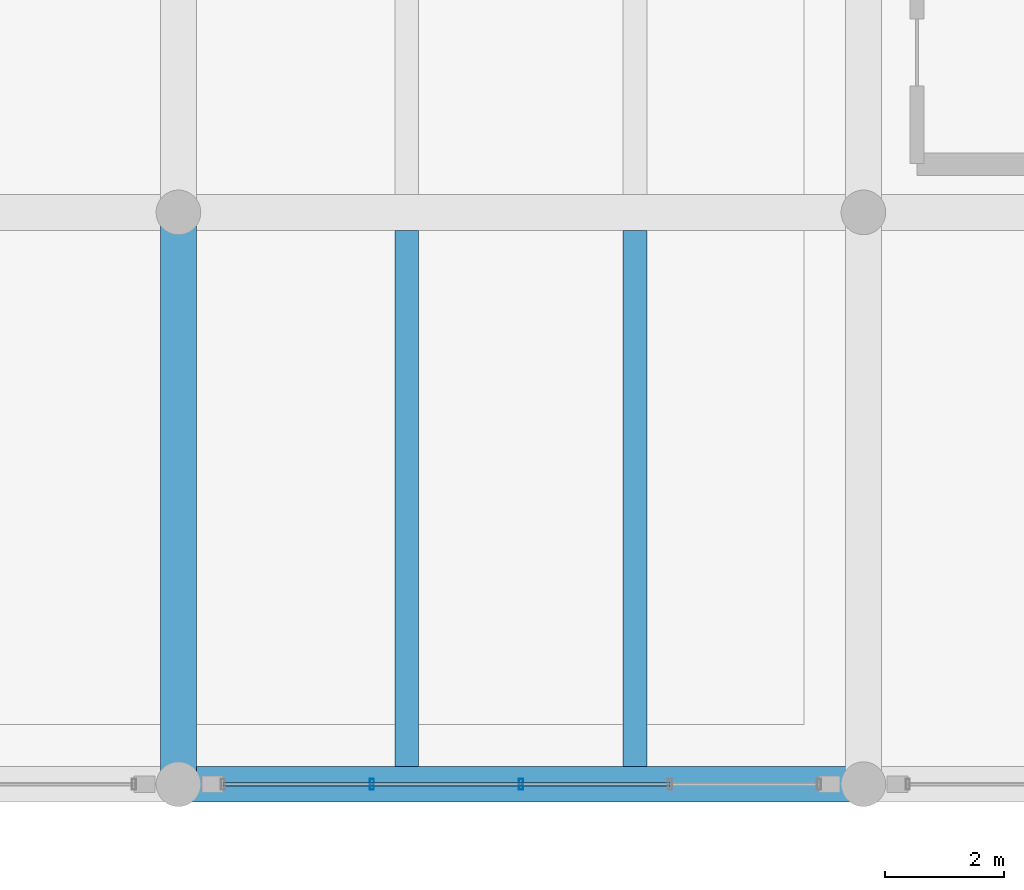
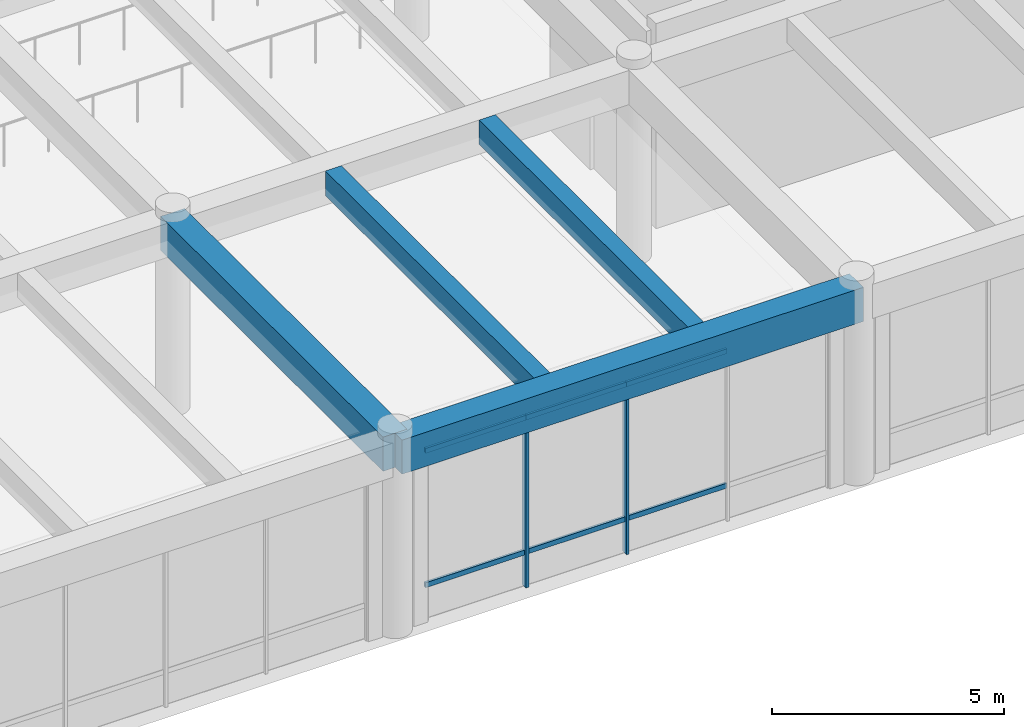
# One storey, part 37 of 148: 8 members, 4 beams, 1 element without a shape of its own.
"""IFC4 building model written with IfcOpenShell, lengths in metres."""

from ifc_helpers import new_model, si_unit, direction, frame, origin, origin_2d, place, context, subcontext, project, spatial, rectangle, hollow_rectangle, extrude, material, material_profile, profile_set, type_object, element, aggregate, save


model = new_model("IFC4")

# Units and contexts
model_context = context("Model", 3, precision=1e-05, world=origin(), true_north=direction((0.0, 1.0)))
body_context = subcontext(model_context, "Body", "Model", "MODEL_VIEW")
ifc_project = project(units=[si_unit("LENGTHUNIT", "METRE"), si_unit("AREAUNIT", "SQUARE_METRE"), si_unit("VOLUMEUNIT", "CUBIC_METRE"), si_unit("PLANEANGLEUNIT", "RADIAN"), si_unit("MASSUNIT", "GRAM", prefix="KILO")], contexts=[model_context])

# Site, building, storey
site_placement = place(None, origin())
site = spatial("IfcSite", under=ifc_project, at=site_placement, CompositionType="ELEMENT")
building_placement = place(site_placement, origin())
building = spatial("IfcBuilding", under=site, at=building_placement, Name="Ologun Quay Terminus", CompositionType="ELEMENT")
storey_placement = place(building_placement, frame((0.0, 0.0, 8.39990234375)))
storey = spatial("IfcBuildingStorey", under=building, at=storey_placement, Name="L02", CompositionType="ELEMENT", Elevation=8.39990234375)

# Curtain wall, members
ifc_material_1 = material(Name="Aluminium 6063-T6", Category="aluminium")
curtain_wall_type = type_object("IfcCurtainWallType", Name="Concourse Departure Curtain Wall 10700x4950", PredefinedType="USERDEFINED", material=ifc_material_1)
curtain_wall_placement = place(storey_placement, origin())
curtain_wall = element("IfcCurtainWall", 1, at=curtain_wall_placement, inside=storey, type_object=curtain_wall_type, Name="CW-05 Curtain Wall CW-L02-028", ObjectType="UNITISED CURTAIN WALL", PredefinedType="USERDEFINED")
ifc_material_2 = material(Name="Aluminium 6063-T6", Category="aluminium")
ifc_material_profile_1 = material_profile(ifc_material_2, hollow_rectangle(XDim=0.070068359375, YDim=0.179931640625, WallThickness=0.0048828125, at=origin_2d()), Name="ALU 180x70x5")
ifc_profile_set_1 = profile_set([ifc_material_profile_1], Name="Aluminium 6063-T6")
member_type_1 = type_object("IfcMemberType", Name="Curtain Wall Heavy Mullion 180x70", PredefinedType="MULLION", material=ifc_profile_set_1)
member_1_placement = place(storey_placement, frame((106.74755859375, 8.0, 0.0), z_axis=(0.0, 0.0, 1.0), x_axis=(1.0, 0.0, 0.0)))
member_1 = element("IfcMember", 2, at=member_1_placement, type_object=member_type_1, Name="CW-L02-028 Mullion 2", PredefinedType="MULLION", context=body_context, shape_type="SweptSolid", body=[
    extrude(hollow_rectangle(XDim=0.070068359375, YDim=0.179931640625, WallThickness=0.0048828125, at=origin_2d()), origin(), (0.0, 0.0, 1.0), 5.14013671875),
])
member_2_placement = place(storey_placement, frame((109.25, 8.0, 0.0), z_axis=(0.0, 0.0, 1.0), x_axis=(1.0, 0.0, 0.0)))
member_2 = element("IfcMember", 3, at=member_2_placement, type_object=member_type_1, Name="CW-L02-028 Mullion 3", PredefinedType="MULLION", context=body_context, shape_type="SweptSolid", body=[
    extrude(hollow_rectangle(XDim=0.070068359375, YDim=0.179931640625, WallThickness=0.0048828125, at=origin_2d()), origin(), (0.0, 0.0, 1.0), 5.14013671875),
])
ifc_material_3 = material(Name="Aluminium 6063-T6", Category="aluminium")
ifc_material_profile_2 = material_profile(ifc_material_3, hollow_rectangle(XDim=0.06005859375, YDim=0.1298828125, WallThickness=0.00390625, at=origin_2d()), Name="ALU 130x60x4")
ifc_profile_set_2 = profile_set([ifc_material_profile_2], Name="Aluminium 6063-T6")
member_type_2 = type_object("IfcMemberType", Name="Curtain Wall Heavy Transom 130x60", PredefinedType="USERDEFINED", material=ifc_profile_set_2)
member_3_placement = place(storey_placement, frame((104.2451171875, 8.0, 0.900146484375), z_axis=(1.0, 0.0, 0.0), x_axis=(0.0, 1.0, 0.0)))
member_3 = element("IfcMember", 4, at=member_3_placement, type_object=member_type_2, Name="CW-L02-028 Transom B1-1", ObjectType="TRANSOM", PredefinedType="USERDEFINED", context=body_context, shape_type="SweptSolid", body=[
    extrude(hollow_rectangle(XDim=0.06005859375, YDim=0.1298828125, WallThickness=0.00390625, at=origin_2d()), origin(), (0.0, 0.0, 1.0), 2.50244140625),
])
member_4_placement = place(storey_placement, frame((104.2451171875, 8.0, 4.440185546875), z_axis=(1.0, 0.0, 0.0), x_axis=(0.0, 1.0, 0.0)))
member_4 = element("IfcMember", 5, at=member_4_placement, type_object=member_type_2, Name="CW-L02-028 Transom B1-2", ObjectType="TRANSOM", PredefinedType="USERDEFINED", context=body_context, shape_type="SweptSolid", body=[
    extrude(hollow_rectangle(XDim=0.06005859375, YDim=0.1298828125, WallThickness=0.00390625, at=origin_2d()), origin(), (0.0, 0.0, 1.0), 2.50244140625),
])
member_5_placement = place(storey_placement, frame((106.74755859375, 8.0, 0.900146484375), z_axis=(1.0, 0.0, 0.0), x_axis=(0.0, 1.0, 0.0)))
member_5 = element("IfcMember", 6, at=member_5_placement, type_object=member_type_2, Name="CW-L02-028 Transom B2-1", ObjectType="TRANSOM", PredefinedType="USERDEFINED", context=body_context, shape_type="SweptSolid", body=[
    extrude(hollow_rectangle(XDim=0.06005859375, YDim=0.1298828125, WallThickness=0.00390625, at=origin_2d()), origin(), (0.0, 0.0, 1.0), 2.50244140625),
])
member_6_placement = place(storey_placement, frame((106.74755859375, 8.0, 4.440185546875), z_axis=(1.0, 0.0, 0.0), x_axis=(0.0, 1.0, 0.0)))
member_6 = element("IfcMember", 7, at=member_6_placement, type_object=member_type_2, Name="CW-L02-028 Transom B2-2", ObjectType="TRANSOM", PredefinedType="USERDEFINED", context=body_context, shape_type="SweptSolid", body=[
    extrude(hollow_rectangle(XDim=0.06005859375, YDim=0.1298828125, WallThickness=0.00390625, at=origin_2d()), origin(), (0.0, 0.0, 1.0), 2.50244140625),
])
member_7_placement = place(storey_placement, frame((109.25, 8.0, 0.900146484375), z_axis=(1.0, 0.0, 0.0), x_axis=(0.0, 1.0, 0.0)))
member_7 = element("IfcMember", 8, at=member_7_placement, type_object=member_type_2, Name="CW-L02-028 Transom B3-1", ObjectType="TRANSOM", PredefinedType="USERDEFINED", context=body_context, shape_type="SweptSolid", body=[
    extrude(hollow_rectangle(XDim=0.06005859375, YDim=0.1298828125, WallThickness=0.00390625, at=origin_2d()), origin(), (0.0, 0.0, 1.0), 2.50244140625),
])
member_8_placement = place(storey_placement, frame((109.25, 8.0, 4.440185546875), z_axis=(1.0, 0.0, 0.0), x_axis=(0.0, 1.0, 0.0)))
member_8 = element("IfcMember", 9, at=member_8_placement, type_object=member_type_2, Name="CW-L02-028 Transom B3-2", ObjectType="TRANSOM", PredefinedType="USERDEFINED", context=body_context, shape_type="SweptSolid", body=[
    extrude(hollow_rectangle(XDim=0.06005859375, YDim=0.1298828125, WallThickness=0.00390625, at=origin_2d()), origin(), (0.0, 0.0, 1.0), 2.50244140625),
])
aggregate(curtain_wall, [member_1, member_2, member_3, member_4, member_5, member_6, member_7, member_8])

# Beams
ifc_material_4 = material(Name="Concrete C40/50", Category="concrete")
ifc_material_profile_3 = material_profile(ifc_material_4, rectangle(XDim=0.60009765625, YDim=0.89990234375, at=origin_2d()), Name="RC 600x900")
ifc_profile_set_3 = profile_set([ifc_material_profile_3], Name="Concrete C40/50")
beam_type_1 = type_object("IfcBeamType", Name="Station Frame Girder 600x900", PredefinedType="BEAM", material=ifc_profile_set_3)
beam_1_placement = place(storey_placement, frame((103.5, 8.0, 4.7001953125), z_axis=(1.0, 0.0, 0.0), x_axis=(0.0, 1.0, 0.0)))
element("IfcBeam", 10, at=beam_1_placement, inside=storey, type_object=beam_type_1, Name="B3 Beam 10/B L02", PredefinedType="BEAM", context=body_context, shape_type="SweptSolid", body=[
    extrude(rectangle(XDim=0.60009765625, YDim=0.89990234375, at=origin_2d()), origin(), (0.0, 0.0, 1.0), 11.5),
])
beam_2_placement = place(storey_placement, frame((103.5, 8.0, 4.7001953125), z_axis=(0.0, 1.0, 0.0), x_axis=(-1.0, 0.0, 0.0)))
element("IfcBeam", 11, at=beam_2_placement, inside=storey, type_object=beam_type_1, Name="B3 Beam 10/B L02", PredefinedType="BEAM", context=body_context, shape_type="SweptSolid", body=[
    extrude(rectangle(XDim=0.60009765625, YDim=0.89990234375, at=origin_2d()), origin(), (0.0, 0.0, 1.0), 9.60009765625),
])
ifc_material_5 = material(Name="Concrete C40/50", Category="concrete")
ifc_material_profile_4 = material_profile(ifc_material_5, rectangle(XDim=0.39990234375, YDim=0.64990234375, at=origin_2d()), Name="RC 400x650")
ifc_profile_set_4 = profile_set([ifc_material_profile_4], Name="Concrete C40/50")
beam_type_2 = type_object("IfcBeamType", Name="Station Secondary Joist 400x650", PredefinedType="JOIST", material=ifc_profile_set_4)
for number, where, z_axis, x_axis, name in (
    (12, (107.333251953125, 8.300048828125, 4.8251953125), (0.0, 1.0, 0.0), (-1.0, 0.0, 0.0), "J1 Beam 10/B L02"),
    (13, (111.166748046875, 8.300048828125, 4.8251953125), (0.0, 1.0, 0.0), (-1.0, 0.0, 0.0), "J1 Beam 10/B L02"),
):
    element("IfcBeam", number, at=place(storey_placement, frame(where, z_axis=z_axis, x_axis=x_axis)), inside=storey, type_object=beam_type_2, Name=name, PredefinedType="JOIST", context=body_context, shape_type="SweptSolid", body=[
        extrude(rectangle(XDim=0.39990234375, YDim=0.64990234375, at=origin_2d()), origin(), (0.0, 0.0, 1.0), 9.0),
    ])

save(model, "model.ifc")
